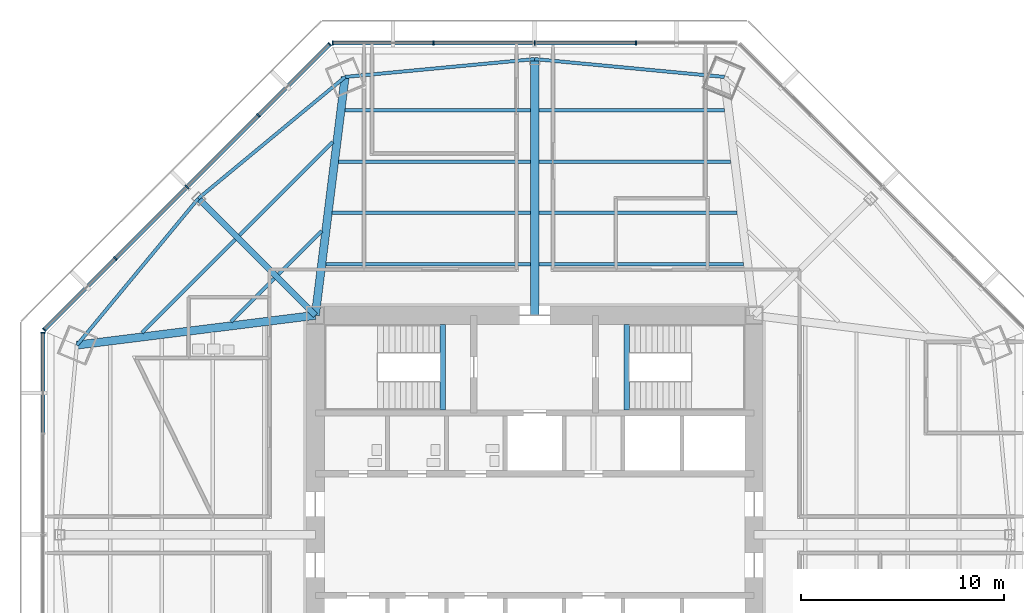
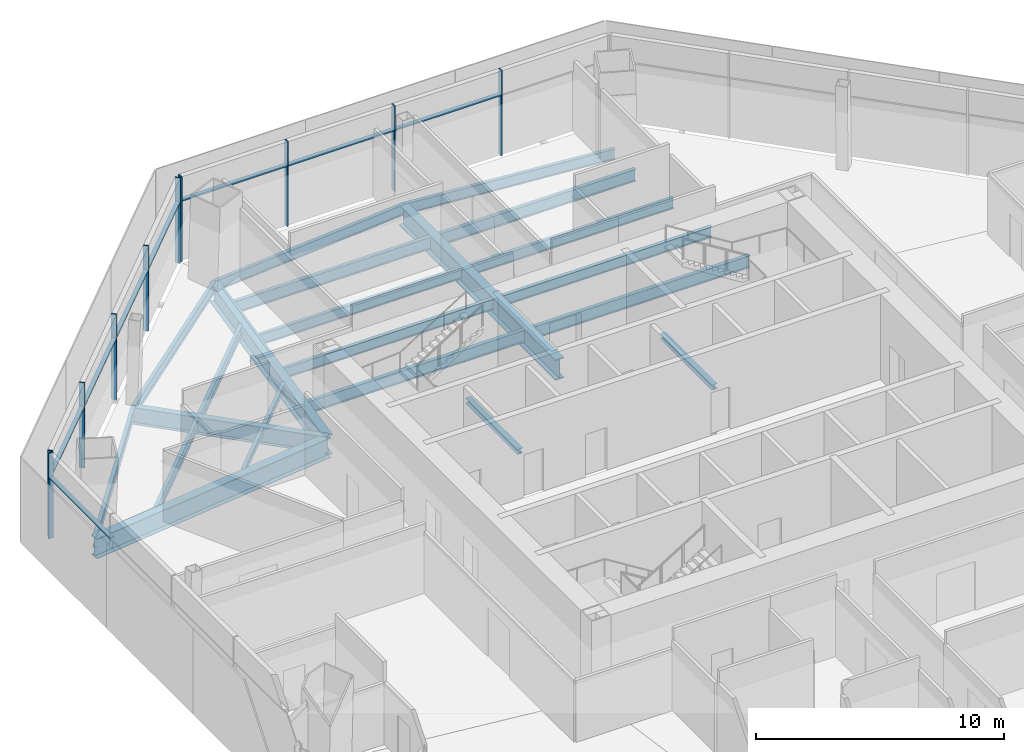
# One storey, part 5 of 14: 22 beams, 18 members, 3 elements without a shape of their own.
"""IFC4 building model written with IfcOpenShell, lengths in metres."""

from ifc_helpers import new_model, si_unit, direction, frame, origin, origin_2d, place, context, subcontext, project, spatial, rectangle, i_section, extrude, source, transform, mapped, material, material_profile, profile_set, type_object, type_shapes, element, aggregate, save


model = new_model("IFC4")

# Units and contexts
model_context = context("Model", 3, precision=1e-05, world=origin(), true_north=direction((0.0, 1.0)))
body_context = subcontext(model_context, "Body", "Model", "MODEL_VIEW")
ifc_project = project(units=[si_unit("LENGTHUNIT", "METRE"), si_unit("AREAUNIT", "SQUARE_METRE"), si_unit("VOLUMEUNIT", "CUBIC_METRE"), si_unit("PLANEANGLEUNIT", "RADIAN"), si_unit("MASSUNIT", "GRAM", prefix="KILO")], contexts=[model_context])

# Site, building, storey
site_placement = place(None, origin())
site = spatial("IfcSite", under=ifc_project, at=site_placement, CompositionType="ELEMENT")
building_placement = place(site_placement, origin())
building = spatial("IfcBuilding", under=site, at=building_placement, Name="Mashrafa Tower", CompositionType="ELEMENT")
storey_placement = place(building_placement, frame((0.0, 0.0, 134.39990234375)))
storey = spatial("IfcBuildingStorey", under=building, at=storey_placement, Name="L30", CompositionType="ELEMENT", Elevation=134.39990234375)

# Beams
ifc_material_1 = material(Name="Steel ASTM A992", Category="steel")
ifc_material_profile_1 = material_profile(ifc_material_1, i_section(OverallWidth=0.164794921875, OverallDepth=0.309814453125, WebThickness=0.005859375, FlangeThickness=0.009765625, FilletRadius=0.007568359375, at=origin_2d()), Name="W12X26")
ifc_profile_set_1 = profile_set([ifc_material_profile_1], Name="Steel ASTM A992")
beam_type_1 = type_object("IfcBeamType", Name="Beam W12X26", PredefinedType="BEAM", material=ifc_profile_set_1)
for number, where, z_axis, x_axis, name in (
    (1, (-14.955078125, 10.48388671875, -0.31982421875), (0.707106781187, 0.707106781187, 0.0), (-0.707106781187, 0.707106781187, 0.0), "Floor beam L30 008"),
    (2, (-12.6162109375, 12.82275390625, -0.31982421875), (0.707106781187, 0.707106781187, 0.0), (-0.707106781187, 0.707106781187, 0.0), "Floor beam L30 014"),
):
    element("IfcBeam", number, at=place(storey_placement, frame(where, z_axis=z_axis, x_axis=x_axis)), inside=storey, type_object=beam_type_1, Name=name, PredefinedType="BEAM", context=body_context, shape_type="SweptSolid", body=[
        extrude(i_section(OverallWidth=0.164794921875, OverallDepth=0.309814453125, WebThickness=0.005859375, FlangeThickness=0.009765625, FilletRadius=0.007568359375, at=origin_2d()), origin(), (0.0, 0.0, 1.0), 3.015625),
    ])
ifc_material_2 = material(Name="Steel ASTM A992", Category="steel")
ifc_material_profile_2 = material_profile(ifc_material_2, i_section(OverallWidth=0.1650390625, OverallDepth=0.52587890625, WebThickness=0.0087890625, FlangeThickness=0.011474609375, FilletRadius=0.0126953125, at=origin_2d()), Name="W21X44")
ifc_profile_set_2 = profile_set([ifc_material_profile_2], Name="Steel ASTM A992")
beam_type_2 = type_object("IfcBeamType", Name="Beam W21X44", PredefinedType="BEAM", material=ifc_profile_set_2)
for number, where, z_axis, x_axis, name in (
    (3, (-19.341064453125, 9.93701171875, -0.427734375), (0.707088011347, 0.707125550528, 0.0), (-0.707125550528, 0.707088011347, 0.0), "Floor beam L30 003"),
    (4, (-14.535888671875, 14.742431640625, -0.427734375), (0.707125550528, 0.707088011347, 0.0), (-0.707088011347, 0.707125550528, 0.0), "Floor beam L30 010"),
):
    element("IfcBeam", number, at=place(storey_placement, frame(where, z_axis=z_axis, x_axis=x_axis)), inside=storey, type_object=beam_type_2, Name=name, PredefinedType="BEAM", context=body_context, shape_type="SweptSolid", body=[
        extrude(i_section(OverallWidth=0.1650390625, OverallDepth=0.52587890625, WebThickness=0.0087890625, FlangeThickness=0.011474609375, FilletRadius=0.0126953125, at=origin_2d()), origin(), (0.0, 0.0, 1.0), 6.503662109375),
    ])
beam_1_placement = place(storey_placement, frame((-9.968505859375, 15.846923828125, -0.427734375), z_axis=(1.0, 0.0, 0.0), x_axis=(0.0, 1.0, 0.0)))
element("IfcBeam", 5, at=beam_1_placement, inside=storey, type_object=beam_type_2, Name="Floor beam L30 017", PredefinedType="BEAM", context=body_context, shape_type="SweptSolid", body=[
    extrude(i_section(OverallWidth=0.1650390625, OverallDepth=0.52587890625, WebThickness=0.0087890625, FlangeThickness=0.011474609375, FilletRadius=0.0126953125, at=origin_2d()), origin(), (0.0, 0.0, 1.0), 9.767822265625),
])
beam_2_placement = place(storey_placement, frame((-9.65380859375, 18.370361328125, -0.427734375), z_axis=(1.0, 0.0, 0.0), x_axis=(0.0, 1.0, 0.0)))
element("IfcBeam", 6, at=beam_2_placement, inside=storey, type_object=beam_type_2, Name="Floor beam L30 018", PredefinedType="BEAM", context=body_context, shape_type="SweptSolid", body=[
    extrude(i_section(OverallWidth=0.1650390625, OverallDepth=0.52587890625, WebThickness=0.0087890625, FlangeThickness=0.011474609375, FilletRadius=0.0126953125, at=origin_2d()), origin(), (0.0, 0.0, 1.0), 9.453125),
])
beam_3_placement = place(storey_placement, frame((0.20068359375, 15.846923828125, -0.427734375), z_axis=(1.0, 0.0, 0.0), x_axis=(0.0, 1.0, 0.0)))
element("IfcBeam", 7, at=beam_3_placement, inside=storey, type_object=beam_type_2, Name="Floor beam L30 026", PredefinedType="BEAM", context=body_context, shape_type="SweptSolid", body=[
    extrude(i_section(OverallWidth=0.1650390625, OverallDepth=0.52587890625, WebThickness=0.0087890625, FlangeThickness=0.011474609375, FilletRadius=0.0126953125, at=origin_2d()), origin(), (0.0, 0.0, 1.0), 9.767822265625),
])
beam_4_placement = place(storey_placement, frame((0.20068359375, 18.370361328125, -0.427734375), z_axis=(1.0, 0.0, 0.0), x_axis=(0.0, 1.0, 0.0)))
element("IfcBeam", 8, at=beam_4_placement, inside=storey, type_object=beam_type_2, Name="Floor beam L30 027", PredefinedType="BEAM", context=body_context, shape_type="SweptSolid", body=[
    extrude(i_section(OverallWidth=0.1650390625, OverallDepth=0.52587890625, WebThickness=0.0087890625, FlangeThickness=0.011474609375, FilletRadius=0.0126953125, at=origin_2d()), origin(), (0.0, 0.0, 1.0), 9.453125),
])
for number, where, z_axis, x_axis, name in (
    (9, (-16.55859375, 16.55859375, -0.427734375), (-0.637779222021, -0.770219231101, 0.0), (0.770219231101, -0.637779222021, 0.0), "Spandrel beam L30 069"),
    (10, (-9.3359375, 22.539306640625, -0.427734375), (-0.770219231101, -0.637779222021, 0.0), (0.637779222021, -0.770219231101, 0.0), "Spandrel beam L30 071"),
):
    element("IfcBeam", number, at=place(storey_placement, frame(where, z_axis=z_axis, x_axis=x_axis)), inside=storey, type_object=beam_type_2, Name=name, PredefinedType="BEAM", context=body_context, shape_type="SweptSolid", body=[
        extrude(i_section(OverallWidth=0.1650390625, OverallDepth=0.52587890625, WebThickness=0.0087890625, FlangeThickness=0.011474609375, FilletRadius=0.0126953125, at=origin_2d()), origin(), (0.0, 0.0, 1.0), 9.37744140625),
    ])
for number, where, z_axis, x_axis, name in (
    (11, (0.0, 23.41748046875, -0.427734375), (-0.995605142918, -0.093650410541, 0.0), (0.093650410541, -0.995605142918, 0.0), "Spandrel beam L30 073"),
    (12, (9.3359375, 22.539306640625, -0.427734375), (-0.995605142918, 0.093650410541, 0.0), (-0.093650410541, -0.995605142918, 0.0), "Spandrel beam L30 075"),
):
    element("IfcBeam", number, at=place(storey_placement, frame(where, z_axis=z_axis, x_axis=x_axis)), inside=storey, type_object=beam_type_2, Name=name, PredefinedType="BEAM", context=body_context, shape_type="SweptSolid", body=[
        extrude(i_section(OverallWidth=0.1650390625, OverallDepth=0.52587890625, WebThickness=0.0087890625, FlangeThickness=0.011474609375, FilletRadius=0.0126953125, at=origin_2d()), origin(), (0.0, 0.0, 1.0), 9.377197265625),
    ])
ifc_material_3 = material(Name="Steel ASTM A992", Category="steel")
ifc_material_profile_3 = material_profile(ifc_material_3, i_section(OverallWidth=0.177978515625, OverallDepth=0.599365234375, WebThickness=0.010009765625, FlangeThickness=0.012939453125, FilletRadius=0.012939453125, at=origin_2d()), Name="W24X55")
ifc_profile_set_3 = profile_set([ifc_material_profile_3], Name="Steel ASTM A992")
beam_type_3 = type_object("IfcBeamType", Name="Beam W24X55", PredefinedType="BEAM", material=ifc_profile_set_3)
beam_5_placement = place(storey_placement, frame((-10.283203125, 13.323486328125, -0.464599609375), z_axis=(1.0, 0.0, 0.0), x_axis=(0.0, 1.0, 0.0)))
element("IfcBeam", 13, at=beam_5_placement, inside=storey, type_object=beam_type_3, Name="Floor beam L30 015", PredefinedType="BEAM", context=body_context, shape_type="SweptSolid", body=[
    extrude(i_section(OverallWidth=0.177978515625, OverallDepth=0.599365234375, WebThickness=0.010009765625, FlangeThickness=0.012939453125, FilletRadius=0.012939453125, at=origin_2d()), origin(), (0.0, 0.0, 1.0), 10.08251953125),
])
beam_6_placement = place(storey_placement, frame((-9.339111328125, 20.893798828125, -0.464599609375), z_axis=(1.0, 0.0, 0.0), x_axis=(0.0, 1.0, 0.0)))
element("IfcBeam", 14, at=beam_6_placement, inside=storey, type_object=beam_type_3, Name="Floor beam L30 020", PredefinedType="BEAM", context=body_context, shape_type="SweptSolid", body=[
    extrude(i_section(OverallWidth=0.177978515625, OverallDepth=0.599365234375, WebThickness=0.010009765625, FlangeThickness=0.012939453125, FilletRadius=0.012939453125, at=origin_2d()), origin(), (0.0, 0.0, 1.0), 9.138427734375),
])
beam_7_placement = place(storey_placement, frame((0.20068359375, 13.323486328125, -0.464599609375), z_axis=(1.0, 0.0, 0.0), x_axis=(0.0, 1.0, 0.0)))
element("IfcBeam", 15, at=beam_7_placement, inside=storey, type_object=beam_type_3, Name="Floor beam L30 025", PredefinedType="BEAM", context=body_context, shape_type="SweptSolid", body=[
    extrude(i_section(OverallWidth=0.177978515625, OverallDepth=0.599365234375, WebThickness=0.010009765625, FlangeThickness=0.012939453125, FilletRadius=0.012939453125, at=origin_2d()), origin(), (0.0, 0.0, 1.0), 10.08251953125),
])
beam_8_placement = place(storey_placement, frame((0.20068359375, 20.893798828125, -0.464599609375), z_axis=(1.0, 0.0, 0.0), x_axis=(0.0, 1.0, 0.0)))
element("IfcBeam", 16, at=beam_8_placement, inside=storey, type_object=beam_type_3, Name="Floor beam L30 028", PredefinedType="BEAM", context=body_context, shape_type="SweptSolid", body=[
    extrude(i_section(OverallWidth=0.177978515625, OverallDepth=0.599365234375, WebThickness=0.010009765625, FlangeThickness=0.012939453125, FilletRadius=0.012939453125, at=origin_2d()), origin(), (0.0, 0.0, 1.0), 9.138427734375),
])
ifc_material_4 = material(Name="Steel ASTM A992", Category="steel")
ifc_material_profile_4 = material_profile(ifc_material_4, i_section(OverallWidth=0.2919921875, OverallDepth=0.8408203125, WebThickness=0.0146484375, FlangeThickness=0.021728515625, FilletRadius=0.017333984375, at=origin_2d()), Name="W33X130")
ifc_profile_set_4 = profile_set([ifc_material_profile_4], Name="Steel ASTM A992")
beam_type_4 = type_object("IfcBeamType", Name="Beam W33X130", PredefinedType="BEAM", material=ifc_profile_set_4)
beam_9_placement = place(storey_placement, frame((-10.800048828125, 10.800048828125, -0.585205078125), z_axis=(-0.707106781187, 0.707106781187, 0.0), x_axis=(-0.707106781187, -0.707106781187, 0.0)))
element("IfcBeam", 17, at=beam_9_placement, inside=storey, type_object=beam_type_4, Name="Radial girder L30 054", PredefinedType="BEAM", context=body_context, shape_type="SweptSolid", body=[
    extrude(i_section(OverallWidth=0.2919921875, OverallDepth=0.8408203125, WebThickness=0.0146484375, FlangeThickness=0.021728515625, FilletRadius=0.017333984375, at=origin_2d()), origin(), (0.0, 0.0, 1.0), 8.143798828125),
])
ifc_material_5 = material(Name="Steel ASTM A992", Category="steel")
ifc_material_profile_5 = material_profile(ifc_material_5, i_section(OverallWidth=0.4013671875, OverallDepth=0.98291015625, WebThickness=0.0166015625, FlangeThickness=0.027099609375, FilletRadius=0.0126953125, at=origin_2d()), Name="W40X199")
ifc_profile_set_5 = profile_set([ifc_material_profile_5], Name="Steel ASTM A992")
beam_type_5 = type_object("IfcBeamType", Name="Beam W40X199", PredefinedType="BEAM", material=ifc_profile_set_5)
for number, where, z_axis, x_axis, name in (
    (18, (-10.800048828125, 10.800048828125, -0.656494140625), (-0.992312128057, -0.123760415771, 0.0), (0.123760415771, -0.992312128057, 0.0), "Radial girder L30 053"),
    (19, (-10.800048828125, 10.800048828125, -0.656494140625), (0.123760415771, 0.992312128057, 0.0), (-0.992312128057, 0.123760415771, 0.0), "Radial girder L30 055"),
):
    element("IfcBeam", number, at=place(storey_placement, frame(where, z_axis=z_axis, x_axis=x_axis)), inside=storey, type_object=beam_type_5, Name=name, PredefinedType="BEAM", context=body_context, shape_type="SweptSolid", body=[
        extrude(i_section(OverallWidth=0.4013671875, OverallDepth=0.98291015625, WebThickness=0.0166015625, FlangeThickness=0.027099609375, FilletRadius=0.0126953125, at=origin_2d()), origin(), (0.0, 0.0, 1.0), 11.830322265625),
    ])
ifc_material_6 = material(Name="Steel ASTM A992", Category="steel")
ifc_material_profile_6 = material_profile(ifc_material_6, i_section(OverallWidth=0.4013671875, OverallDepth=1.010986328125, WebThickness=0.023681640625, FlangeThickness=0.0419921875, FilletRadius=0.02001953125, at=origin_2d()), Name="W40X297")
ifc_profile_set_6 = profile_set([ifc_material_profile_6], Name="Steel ASTM A992")
beam_type_6 = type_object("IfcBeamType", Name="Beam W40X297", PredefinedType="BEAM", material=ifc_profile_set_6)
beam_10_placement = place(storey_placement, frame((0.0, 10.800048828125, -0.67041015625), z_axis=(0.0, 1.0, 0.0), x_axis=(-1.0, 0.0, 0.0)))
element("IfcBeam", 20, at=beam_10_placement, inside=storey, type_object=beam_type_6, Name="Radial girder L30 057", PredefinedType="BEAM", context=body_context, shape_type="SweptSolid", body=[
    extrude(i_section(OverallWidth=0.4013671875, OverallDepth=1.010986328125, WebThickness=0.023681640625, FlangeThickness=0.0419921875, FilletRadius=0.02001953125, at=origin_2d()), origin(), (0.0, 0.0, 1.0), 12.617431640625),
])
ifc_material_7 = material(Name="Steel ASTM A992", Category="steel")
ifc_material_profile_7 = material_profile(ifc_material_7, i_section(OverallWidth=0.25390625, OverallDepth=0.25390625, WebThickness=0.008544921875, FlangeThickness=0.01416015625, FilletRadius=0.010009765625, at=origin_2d()), Name="W10X49")
ifc_profile_set_7 = profile_set([ifc_material_profile_7], Name="Steel ASTM A992")
beam_type_7 = type_object("IfcBeamType", Name="Hoistway beam W10X49", PredefinedType="BEAM", material=ifc_profile_set_7)
for number, where, z_axis, x_axis, name in (
    (21, (-4.530029296875, 6.14990234375, -0.326904296875), (0.0, 1.0, 0.0), (-1.0, 0.0, 0.0), "Stair S1 landing beam L30"),
    (22, (4.530029296875, 6.14990234375, -0.326904296875), (0.0, 1.0, 0.0), (-1.0, 0.0, 0.0), "Stair S2 landing beam L30"),
):
    element("IfcBeam", number, at=place(storey_placement, frame(where, z_axis=z_axis, x_axis=x_axis)), inside=storey, type_object=beam_type_7, Name=name, PredefinedType="BEAM", context=body_context, shape_type="SweptSolid", body=[
        extrude(i_section(OverallWidth=0.25390625, OverallDepth=0.25390625, WebThickness=0.008544921875, FlangeThickness=0.01416015625, FilletRadius=0.010009765625, at=origin_2d()), origin(), (0.0, 0.0, 1.0), 4.2001953125),
    ])

# Curtain wall, members
ifc_material_8 = material(Name="Unitised aluminium curtain wall", Category="aluminium")
curtain_wall_type = type_object("IfcCurtainWallType", Name="Office curtain wall, zone 2 CW-B 225 deep", PredefinedType="NOTDEFINED", material=ifc_material_8)
curtain_wall_1_placement = place(storey_placement, origin())
curtain_wall_1 = element("IfcCurtainWall", 23, at=curtain_wall_1_placement, inside=storey, type_object=curtain_wall_type, Name="Office curtain wall, zone 2 L30 north", PredefinedType="NOTDEFINED")
ifc_material_9 = material(Name="Extruded aluminium mullion", Category="aluminium")
ifc_material_profile_8 = material_profile(ifc_material_9, rectangle(XDim=0.22509765625, YDim=0.06494140625, at=origin_2d()), Name="Mullion 65x225")
ifc_profile_set_8 = profile_set([ifc_material_profile_8], Name="Extruded aluminium mullion")
member_type_1 = type_object("IfcMemberType", Name="Mullion CW-B 65 x 225", PredefinedType="MULLION", material=ifc_profile_set_8)
shared_shape_1 = source(origin(), body_context, "Body", "SweptSolid", [
    extrude(rectangle(XDim=0.22509765625, YDim=0.06494140625, at=origin_2d()), origin(), (0.0, 0.0, 1.0), 4.2001953125),
])
type_shapes(member_type_1, [shared_shape_1])
member_1_placement = place(storey_placement, frame((4.986328125, 24.212646484375, 0.0), z_axis=(0.0, 0.0, 1.0), x_axis=(0.0, -1.0, 0.0)))
member_1 = element("IfcMember", 24, at=member_1_placement, type_object=member_type_1, Name="CW-B mullion 2", PredefinedType="MULLION", context=body_context, shape_type="MappedRepresentation", body=[
    mapped(shared_shape_1, transform((0.0, 0.0, 0.0))),
])
member_2_placement = place(storey_placement, frame((0.0, 24.212646484375, 0.0), z_axis=(0.0, 0.0, 1.0), x_axis=(0.0, -1.0, 0.0)))
member_2 = element("IfcMember", 25, at=member_2_placement, type_object=member_type_1, Name="CW-B mullion 3", PredefinedType="MULLION", context=body_context, shape_type="MappedRepresentation", body=[
    mapped(shared_shape_1, transform((0.0, 0.0, 0.0))),
])
member_3_placement = place(storey_placement, frame((-4.986328125, 24.212646484375, 0.0), z_axis=(0.0, 0.0, 1.0), x_axis=(0.0, -1.0, 0.0)))
member_3 = element("IfcMember", 26, at=member_3_placement, type_object=member_type_1, Name="CW-B mullion 4", PredefinedType="MULLION", context=body_context, shape_type="MappedRepresentation", body=[
    mapped(shared_shape_1, transform((0.0, 0.0, 0.0))),
])
member_4_placement = place(storey_placement, frame((-9.940185546875, 24.212646484375, 0.0), z_axis=(0.0, 0.0, 1.0), x_axis=(0.0, -1.0, 0.0)))
member_4 = element("IfcMember", 27, at=member_4_placement, type_object=member_type_1, Name="CW-B mullion 5", PredefinedType="MULLION", context=body_context, shape_type="MappedRepresentation", body=[
    mapped(shared_shape_1, transform((0.0, 0.0, 0.0))),
])

curtain_wall_2_placement = place(storey_placement, origin())
curtain_wall_2 = element("IfcCurtainWall", 28, at=curtain_wall_2_placement, inside=storey, type_object=curtain_wall_type, Name="Office curtain wall, zone 2 L30 north-west", PredefinedType="NOTDEFINED")
member_5_placement = place(storey_placement, frame((-10.09228515625, 24.149658203125, 0.0), z_axis=(0.0, 0.0, 1.0), x_axis=(0.707106781187, -0.707106781187, 0.0)))
member_5 = element("IfcMember", 29, at=member_5_placement, type_object=member_type_1, Name="CW-B mullion 1", PredefinedType="MULLION", context=body_context, shape_type="MappedRepresentation", body=[
    mapped(shared_shape_1, transform((0.0, 0.0, 0.0))),
])
member_6_placement = place(storey_placement, frame((-13.59521484375, 20.646728515625, 0.0), z_axis=(0.0, 0.0, 1.0), x_axis=(0.707106781187, -0.707106781187, 0.0)))
member_6 = element("IfcMember", 30, at=member_6_placement, type_object=member_type_1, Name="CW-B mullion 2", PredefinedType="MULLION", context=body_context, shape_type="MappedRepresentation", body=[
    mapped(shared_shape_1, transform((0.0, 0.0, 0.0))),
])
member_7_placement = place(storey_placement, frame((-17.12109375, 17.12109375, 0.0), z_axis=(0.0, 0.0, 1.0), x_axis=(0.707106781187, -0.707106781187, 0.0)))
member_7 = element("IfcMember", 31, at=member_7_placement, type_object=member_type_1, Name="CW-B mullion 3", PredefinedType="MULLION", context=body_context, shape_type="MappedRepresentation", body=[
    mapped(shared_shape_1, transform((0.0, 0.0, 0.0))),
])
member_8_placement = place(storey_placement, frame((-20.646728515625, 13.59521484375, 0.0), z_axis=(0.0, 0.0, 1.0), x_axis=(0.707106781187, -0.707106781187, 0.0)))
member_8 = element("IfcMember", 32, at=member_8_placement, type_object=member_type_1, Name="CW-B mullion 4", PredefinedType="MULLION", context=body_context, shape_type="MappedRepresentation", body=[
    mapped(shared_shape_1, transform((0.0, 0.0, 0.0))),
])
member_9_placement = place(storey_placement, frame((-24.149658203125, 10.09228515625, 0.0), z_axis=(0.0, 0.0, 1.0), x_axis=(0.707106781187, -0.707106781187, 0.0)))
member_9 = element("IfcMember", 33, at=member_9_placement, type_object=member_type_1, Name="CW-B mullion 5", PredefinedType="MULLION", context=body_context, shape_type="MappedRepresentation", body=[
    mapped(shared_shape_1, transform((0.0, 0.0, 0.0))),
])

# Curtain wall, member
curtain_wall_3_placement = place(storey_placement, origin())
curtain_wall_3 = element("IfcCurtainWall", 34, at=curtain_wall_3_placement, inside=storey, type_object=curtain_wall_type, Name="Office curtain wall, zone 2 L30 west", PredefinedType="NOTDEFINED")
member_10_placement = place(storey_placement, frame((-24.212646484375, 9.940185546875, 0.0), z_axis=(0.0, 0.0, 1.0), x_axis=(1.0, 0.0, 0.0)))
member_10 = element("IfcMember", 35, at=member_10_placement, type_object=member_type_1, Name="CW-B mullion 1", PredefinedType="MULLION", context=body_context, shape_type="MappedRepresentation", body=[
    mapped(shared_shape_1, transform((0.0, 0.0, 0.0))),
])

# Member
ifc_material_10 = material(Name="Extruded aluminium transom", Category="aluminium")
ifc_material_profile_9 = material_profile(ifc_material_10, rectangle(XDim=0.179931640625, YDim=0.080078125, at=origin_2d()), Name="Transom 80x180")
ifc_profile_set_9 = profile_set([ifc_material_profile_9], Name="Extruded aluminium transom")
member_type_2 = type_object("IfcMemberType", Name="Transom CW-B 80 x 180", PredefinedType="MULLION", material=ifc_profile_set_9)
shared_shape_2 = source(origin(), body_context, "Body", "SweptSolid", [
    extrude(rectangle(XDim=0.179931640625, YDim=0.080078125, at=origin_2d()), origin(), (0.0, 0.0, 1.0), 4.888916015625),
])
member_11_placement = place(storey_placement, frame((-5.018798828125, 24.212646484375, 3.0), z_axis=(-1.0, 0.0, 0.0), x_axis=(0.0, -1.0, 0.0)))
member_11 = element("IfcMember", 36, at=member_11_placement, type_object=member_type_2, Name="CW-B transom 4", PredefinedType="MULLION", context=body_context, shape_type="MappedRepresentation", body=[
    mapped(shared_shape_2, transform((0.0, 0.0, 0.0))),
])

member_12_placement = place(storey_placement, frame((-24.212646484375, 9.90771484375, 3.0), z_axis=(0.0, -1.0, 0.0), x_axis=(1.0, 0.0, 0.0)))
member_12 = element("IfcMember", 37, at=member_12_placement, type_object=member_type_2, Name="CW-B transom 1", PredefinedType="MULLION", context=body_context, shape_type="MappedRepresentation", body=[
    mapped(shared_shape_2, transform((0.0, 0.0, 0.0))),
])

aggregate(curtain_wall_3, [member_10, member_12])

shared_shape_3 = source(origin(), body_context, "Body", "SweptSolid", [
    extrude(rectangle(XDim=0.179931640625, YDim=0.080078125, at=origin_2d()), origin(), (0.0, 0.0, 1.0), 4.92138671875),
])
member_13_placement = place(storey_placement, frame((4.953857421875, 24.212646484375, 3.0), z_axis=(-1.0, 0.0, 0.0), x_axis=(0.0, -1.0, 0.0)))
member_13 = element("IfcMember", 38, at=member_13_placement, type_object=member_type_2, Name="CW-B transom 2", PredefinedType="MULLION", context=body_context, shape_type="MappedRepresentation", body=[
    mapped(shared_shape_3, transform((0.0, 0.0, 0.0))),
])

member_14_placement = place(storey_placement, frame((-0.032470703125, 24.212646484375, 3.0), z_axis=(-1.0, 0.0, 0.0), x_axis=(0.0, -1.0, 0.0)))
member_14 = element("IfcMember", 39, at=member_14_placement, type_object=member_type_2, Name="CW-B transom 3", PredefinedType="MULLION", context=body_context, shape_type="MappedRepresentation", body=[
    mapped(shared_shape_3, transform((0.0, 0.0, 0.0))),
])

aggregate(curtain_wall_1, [member_1, member_2, member_3, member_4, member_13, member_14, member_11])

shared_shape_4 = source(origin(), body_context, "Body", "SweptSolid", [
    extrude(rectangle(XDim=0.179931640625, YDim=0.080078125, at=origin_2d()), origin(), (0.0, 0.0, 1.0), 4.888671875),
])
member_15_placement = place(storey_placement, frame((-10.115234375, 24.126708984375, 3.0), z_axis=(-0.707106781187, -0.707106781187, 0.0), x_axis=(0.707106781187, -0.707106781187, 0.0)))
member_15 = element("IfcMember", 40, at=member_15_placement, type_object=member_type_2, Name="CW-B transom 1", PredefinedType="MULLION", context=body_context, shape_type="MappedRepresentation", body=[
    mapped(shared_shape_4, transform((0.0, 0.0, 0.0))),
])

member_16_placement = place(storey_placement, frame((-20.669921875, 13.572021484375, 3.0), z_axis=(-0.707106781187, -0.707106781187, 0.0), x_axis=(0.707106781187, -0.707106781187, 0.0)))
member_16 = element("IfcMember", 41, at=member_16_placement, type_object=member_type_2, Name="CW-B transom 4", PredefinedType="MULLION", context=body_context, shape_type="MappedRepresentation", body=[
    mapped(shared_shape_4, transform((0.0, 0.0, 0.0))),
])

shared_shape_5 = source(origin(), body_context, "Body", "SweptSolid", [
    extrude(rectangle(XDim=0.179931640625, YDim=0.080078125, at=origin_2d()), origin(), (0.0, 0.0, 1.0), 4.921142578125),
])
type_shapes(member_type_2, [shared_shape_2, shared_shape_3, shared_shape_4, shared_shape_5])
member_17_placement = place(storey_placement, frame((-13.6181640625, 20.623779296875, 3.0), z_axis=(-0.707106781187, -0.707106781187, 0.0), x_axis=(0.707106781187, -0.707106781187, 0.0)))
member_17 = element("IfcMember", 42, at=member_17_placement, type_object=member_type_2, Name="CW-B transom 2", PredefinedType="MULLION", context=body_context, shape_type="MappedRepresentation", body=[
    mapped(shared_shape_5, transform((0.0, 0.0, 0.0))),
])

member_18_placement = place(storey_placement, frame((-17.14404296875, 17.097900390625, 3.0), z_axis=(-0.707106781187, -0.707106781187, 0.0), x_axis=(0.707106781187, -0.707106781187, 0.0)))
member_18 = element("IfcMember", 43, at=member_18_placement, type_object=member_type_2, Name="CW-B transom 3", PredefinedType="MULLION", context=body_context, shape_type="MappedRepresentation", body=[
    mapped(shared_shape_5, transform((0.0, 0.0, 0.0))),
])

aggregate(curtain_wall_2, [member_5, member_6, member_7, member_8, member_9, member_15, member_17, member_18, member_16])

save(model, "model.ifc")
